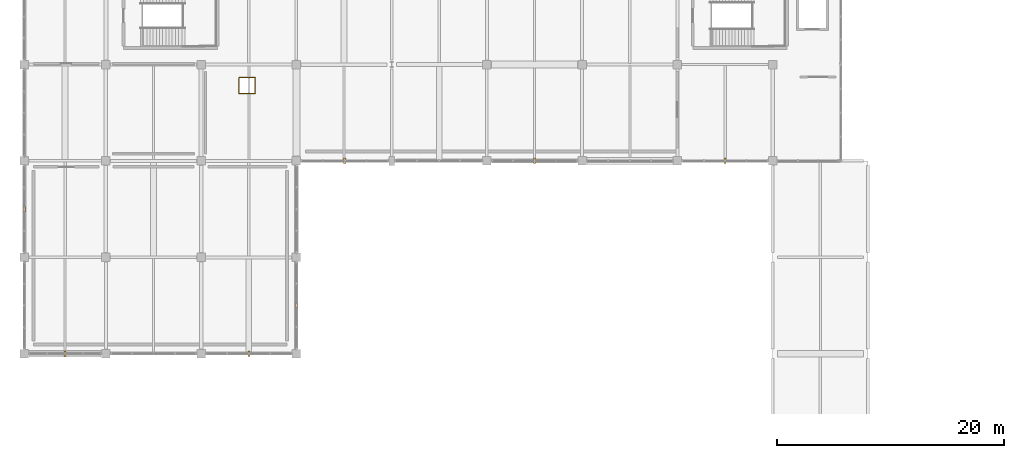
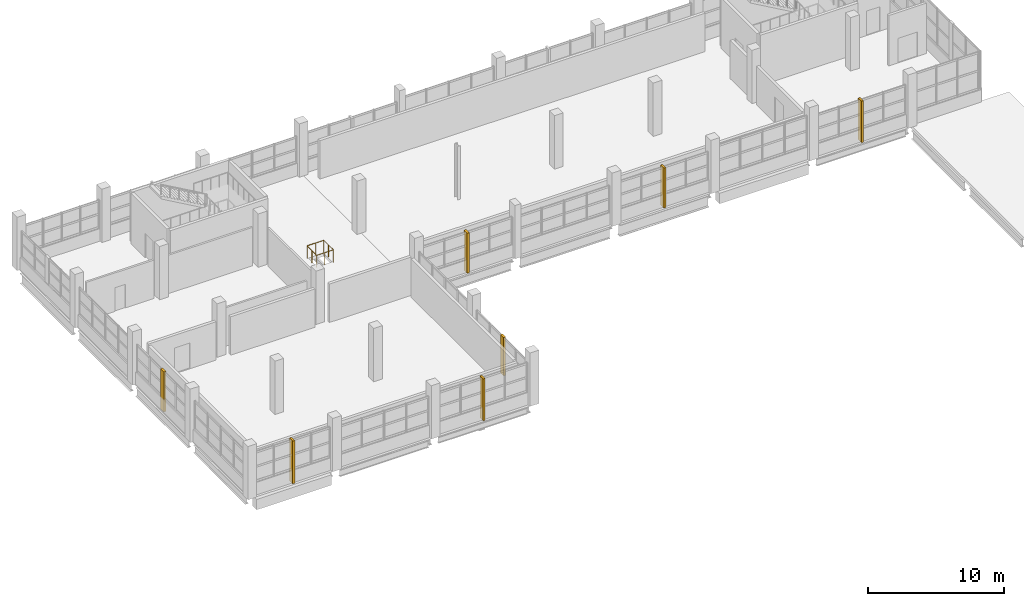
# One storey, part 112 of 117: 7 coverings, 2 railings.
"""IFC4 building model written with IfcOpenShell, lengths in metres."""

from ifc_helpers import new_model, si_unit, direction, frame, origin, origin_2d, place, context, subcontext, project, spatial, rectangle, circle, extrude, material, layer, layer_set, type_object, element, save


model = new_model("IFC4")

# Units and contexts
model_context = context("Model", 3, precision=1e-05, world=origin(), true_north=direction((0.0, 1.0)))
body_context = subcontext(model_context, "Body", "Model", "MODEL_VIEW")
ifc_project = project(units=[si_unit("LENGTHUNIT", "METRE"), si_unit("AREAUNIT", "SQUARE_METRE"), si_unit("VOLUMEUNIT", "CUBIC_METRE"), si_unit("PLANEANGLEUNIT", "RADIAN"), si_unit("MASSUNIT", "GRAM", prefix="KILO")], contexts=[model_context])

# Site, building, storey
site_placement = place(None, origin())
site = spatial("IfcSite", under=ifc_project, at=site_placement, CompositionType="ELEMENT")
building_placement = place(site_placement, origin())
building = spatial("IfcBuilding", under=site, at=building_placement, Name="Solvento Point Concert Hall", CompositionType="ELEMENT")
storey_placement = place(building_placement, frame((0.0, 0.0, 5.39990234375)))
storey = spatial("IfcBuildingStorey", under=building, at=storey_placement, Name="L01", CompositionType="ELEMENT", Elevation=5.39990234375)

# Coverings
ifc_material_1 = material(Name="Precast concrete C45/55", Category="concrete")
ifc_layer = layer(ifc_material_1, 0.179931640625)
ifc_layer_set = layer_set([ifc_layer], Name="Precast concrete C45/55")
covering_type = type_object("IfcCoveringType", Name="BriseSoleilFin_Precast", PredefinedType="CLADDING", material=ifc_layer_set)
covering_1_placement = place(storey_placement, frame((0.0, 114.75, 0.0), z_axis=(0.0, 0.0, 1.0), x_axis=(1.0, 0.0, 0.0)))
element("IfcCovering", 1, at=covering_1_placement, inside=storey, type_object=covering_type, Name="Precast concrete vertical solar fin BSF-01", PredefinedType="CLADDING", context=body_context, shape_type="SweptSolid", body=[
    extrude(rectangle(XDim=0.179931640625, YDim=0.47998046875, at=origin_2d()), origin(), (0.0, 0.0, 1.0), 3.594970703125),
])
covering_2_placement = place(storey_placement, frame((28.262451171875, 119.0, 0.000244140625), z_axis=(0.0, 0.0, 1.0), x_axis=(1.0, 0.0, 0.0)))
element("IfcCovering", 2, at=covering_2_placement, inside=storey, type_object=covering_type, Name="Precast concrete vertical solar fin BSF-01", PredefinedType="CLADDING", context=body_context, shape_type="SweptSolid", body=[
    extrude(rectangle(XDim=0.179931640625, YDim=0.47998046875, at=origin_2d()), origin(), (0.0, 0.0, 1.0), 3.5869140625),
])
covering_3_placement = place(storey_placement, frame((45.0, 119.0, 0.0), z_axis=(0.0, 0.0, 1.0), x_axis=(1.0, 0.0, 0.0)))
element("IfcCovering", 3, at=covering_3_placement, inside=storey, type_object=covering_type, Name="Precast concrete vertical solar fin BSF-01", PredefinedType="CLADDING", context=body_context, shape_type="SweptSolid", body=[
    extrude(rectangle(XDim=0.179931640625, YDim=0.47998046875, at=origin_2d()), origin(), (0.0, 0.0, 1.0), 3.593994140625),
])
covering_4_placement = place(storey_placement, frame((61.800048828125, 119.0, 0.000244140625), z_axis=(0.0, 0.0, 1.0), x_axis=(1.0, 0.0, 0.0)))
element("IfcCovering", 4, at=covering_4_placement, inside=storey, type_object=covering_type, Name="Precast concrete vertical solar fin BSF-01", PredefinedType="CLADDING", context=body_context, shape_type="SweptSolid", body=[
    extrude(rectangle(XDim=0.179931640625, YDim=0.47998046875, at=origin_2d()), origin(), (0.0, 0.0, 1.0), 3.73388671875),
])
covering_5_placement = place(storey_placement, frame((24.0, 106.25, 0.0), z_axis=(0.0, 0.0, 1.0), x_axis=(1.0, 0.0, 0.0)))
element("IfcCovering", 5, at=covering_5_placement, inside=storey, type_object=covering_type, Name="Precast concrete vertical solar fin BSF-01", PredefinedType="CLADDING", context=body_context, shape_type="SweptSolid", body=[
    extrude(rectangle(XDim=0.179931640625, YDim=0.47998046875, at=origin_2d()), origin(), (0.0, 0.0, 1.0), 3.427978515625),
])
covering_6_placement = place(storey_placement, frame((3.60009765625, 102.0, 0.0), z_axis=(0.0, 0.0, 1.0), x_axis=(1.0, 0.0, 0.0)))
element("IfcCovering", 6, at=covering_6_placement, inside=storey, type_object=covering_type, Name="Precast concrete vertical solar fin BSF-01", PredefinedType="CLADDING", context=body_context, shape_type="SweptSolid", body=[
    extrude(rectangle(XDim=0.179931640625, YDim=0.47998046875, at=origin_2d()), origin(), (0.0, 0.0, 1.0), 3.845947265625),
])
covering_7_placement = place(storey_placement, frame((19.800048828125, 102.0, 0.0), z_axis=(0.0, 0.0, 1.0), x_axis=(1.0, 0.0, 0.0)))
element("IfcCovering", 7, at=covering_7_placement, inside=storey, type_object=covering_type, Name="Precast concrete vertical solar fin BSF-01", PredefinedType="CLADDING", context=body_context, shape_type="SweptSolid", body=[
    extrude(rectangle(XDim=0.179931640625, YDim=0.47998046875, at=origin_2d()), origin(), (0.0, 0.0, 1.0), 3.760986328125),
])

# Railings
ifc_material_2 = material(Name="Brushed Stainless Steel Balustrade", Category="steel")
railing_type = type_object("IfcRailingType", Name="TerraceBalustrade_1100", PredefinedType="BALUSTRADE", material=ifc_material_2)
railing_1_placement = place(storey_placement, frame((20.360107421875, 124.969970703125, 0.0)))
element("IfcRailing", 8, at=railing_1_placement, inside=storey, type_object=railing_type, Name="Guard balustrade GR-01 L01", PredefinedType="BALUSTRADE", context=body_context, shape_type="SweptSolid", body=[
    extrude(circle(Radius=0.02392578125, at=origin_2d()), frame((0.0, 0.0, 1.09619140625), z_axis=(0.0, 1.0, 0.0), x_axis=(-1.0, 0.0, 0.0)), (0.0, 0.0, 1.0), 1.39013671875),
    extrude(circle(Radius=0.02392578125, at=origin_2d()), frame((0.0, 1.39013671875, 1.09619140625), z_axis=(-1.0, 0.0, 0.0), x_axis=(0.0, -1.0, 0.0)), (0.0, 0.0, 1.0), 1.39013671875),
    extrude(circle(Radius=0.02099609375, at=origin_2d()), origin(), (0.0, 0.0, 1.0), 1.072021484375),
    extrude(circle(Radius=0.02099609375, at=origin_2d()), frame((0.0, 0.695068359375, 0.0)), (0.0, 0.0, 1.0), 1.072021484375),
    extrude(circle(Radius=0.02099609375, at=origin_2d()), frame((0.0, 1.39013671875, 0.0)), (0.0, 0.0, 1.0), 1.072021484375),
    extrude(circle(Radius=0.02099609375, at=origin_2d()), frame((-0.695068359375, 1.39013671875, 0.0)), (0.0, 0.0, 1.0), 1.072021484375),
    extrude(circle(Radius=0.02099609375, at=origin_2d()), frame((-1.39013671875, 1.39013671875, 0.0)), (0.0, 0.0, 1.0), 1.072021484375),
])
railing_2_placement = place(storey_placement, frame((18.93994140625, 126.330078125, 0.0)))
element("IfcRailing", 9, at=railing_2_placement, inside=storey, type_object=railing_type, Name="Guard balustrade GR-01 L01", PredefinedType="BALUSTRADE", context=body_context, shape_type="SweptSolid", body=[
    extrude(circle(Radius=0.02392578125, at=origin_2d()), frame((0.0, 0.0, 1.09619140625), z_axis=(0.0, -1.0, 0.0), x_axis=(1.0, 0.0, 0.0)), (0.0, 0.0, 1.0), 1.39013671875),
    extrude(circle(Radius=0.02392578125, at=origin_2d()), frame((0.0, -1.39013671875, 1.09619140625), z_axis=(1.0, 0.0, 0.0), x_axis=(0.0, 1.0, 0.0)), (0.0, 0.0, 1.0), 1.39013671875),
    extrude(circle(Radius=0.02099609375, at=origin_2d()), origin(), (0.0, 0.0, 1.0), 1.072021484375),
    extrude(circle(Radius=0.02099609375, at=origin_2d()), frame((0.0, -0.695068359375, 0.0)), (0.0, 0.0, 1.0), 1.072021484375),
    extrude(circle(Radius=0.02099609375, at=origin_2d()), frame((0.0, -1.39013671875, 0.0)), (0.0, 0.0, 1.0), 1.072021484375),
    extrude(circle(Radius=0.02099609375, at=origin_2d()), frame((0.695068359375, -1.39013671875, 0.0)), (0.0, 0.0, 1.0), 1.072021484375),
    extrude(circle(Radius=0.02099609375, at=origin_2d()), frame((1.39013671875, -1.39013671875, 0.0)), (0.0, 0.0, 1.0), 1.072021484375),
])

save(model, "model.ifc")
